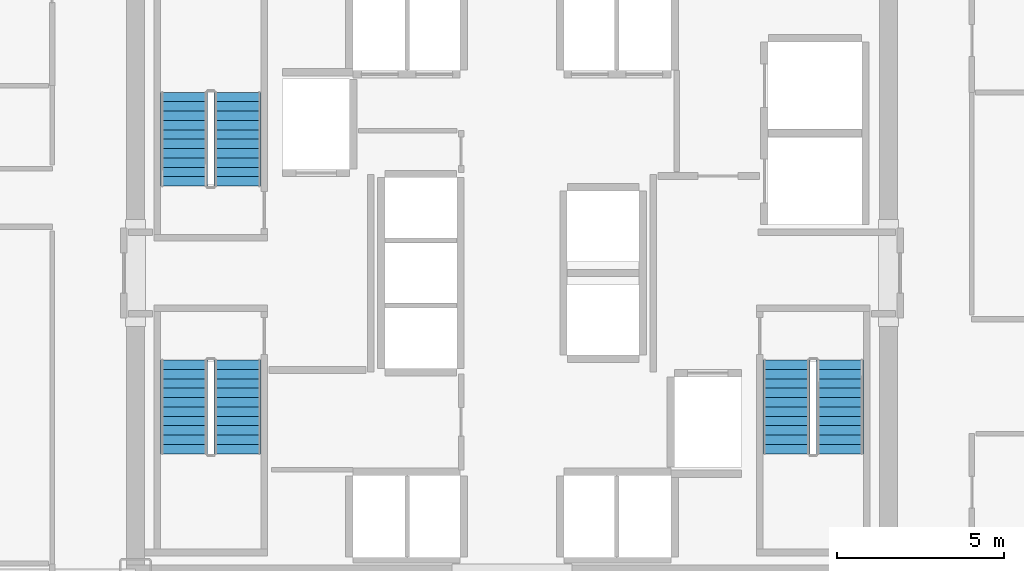
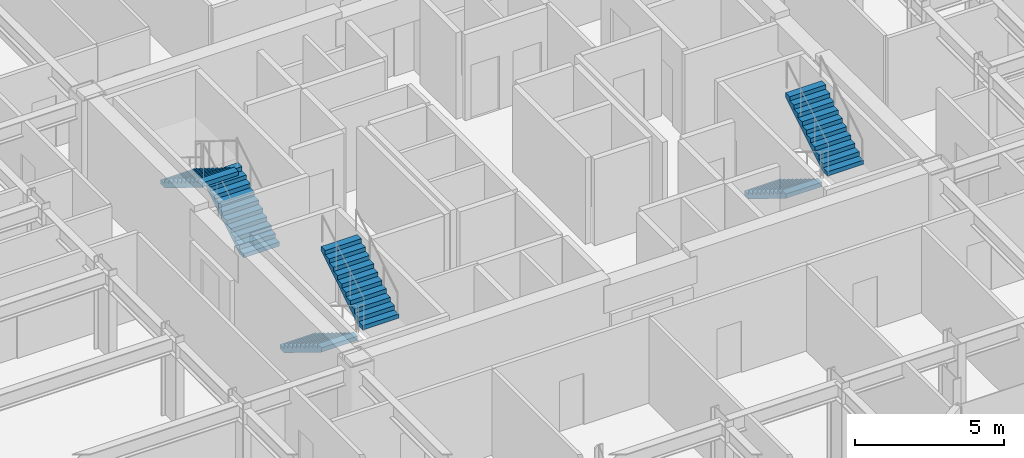
# One storey, part 25 of 26: 6 stair flights, 3 elements without a shape of their own.
"""IFC4 building model written with IfcOpenShell, lengths in metres."""

from ifc_helpers import new_model, si_unit, direction, frame, origin, place, context, subcontext, project, spatial, polyline, outline, extrude, source, transform, mapped, material, type_object, element, aggregate, save


model = new_model("IFC4")

# Units and contexts
model_context = context("Model", 3, precision=1e-05, world=origin(), true_north=direction((0.0, 1.0)))
body_context = subcontext(model_context, "Body", "Model", "MODEL_VIEW")
ifc_project = project(units=[si_unit("LENGTHUNIT", "METRE"), si_unit("AREAUNIT", "SQUARE_METRE"), si_unit("VOLUMEUNIT", "CUBIC_METRE"), si_unit("PLANEANGLEUNIT", "RADIAN"), si_unit("MASSUNIT", "GRAM", prefix="KILO")], contexts=[model_context])

# Site, building, storey
site_placement = place(None, origin())
site = spatial("IfcSite", under=ifc_project, at=site_placement, CompositionType="ELEMENT")
building_placement = place(site_placement, origin())
building = spatial("IfcBuilding", under=site, at=building_placement, Name="Nefas-Gora Pilgrimage Tower", CompositionType="ELEMENT")
storey_placement = place(building_placement, frame((0.0, 0.0, 132.60009765625)))
storey = spatial("IfcBuildingStorey", under=building, at=storey_placement, Name="L32", CompositionType="ELEMENT", Elevation=132.60009765625)

# Stair, stair flights
ifc_material = material(Name="Concrete C45/55", Category="concrete")
stair_type = type_object("IfcStairType", Name="STR-1400-R1727", PredefinedType="HALF_TURN_STAIR", material=ifc_material)
stair_1_placement = place(storey_placement, origin())
stair_1 = element("IfcStair", 1, at=stair_1_placement, inside=storey, type_object=stair_type, Name="L32 Pressurised Tower Exit Stair ST-01", PredefinedType="HALF_TURN_STAIR")
stair_flight_type = type_object("IfcStairFlightType", Name="STF-1400-R1727", PredefinedType="STRAIGHT", material=ifc_material)
shared_shape = source(origin(), body_context, "Body", "SweptSolid", [
    extrude(outline(polyline([(0.0, 0.0), (0.0, 0.172607421875), (0.280029296875, 0.172607421875), (0.280029296875, 0.345458984375), (0.56005859375, 0.345458984375), (0.56005859375, 0.51806640625), (0.840087890625, 0.51806640625), (0.840087890625, 0.69091796875), (1.1201171875, 0.69091796875), (1.1201171875, 0.863525390625), (1.39990234375, 0.863525390625), (1.39990234375, 1.036376953125), (1.679931640625, 1.036376953125), (1.679931640625, 1.208984375), (1.9599609375, 1.208984375), (1.9599609375, 1.3818359375), (2.239990234375, 1.3818359375), (2.239990234375, 1.554443359375), (2.52001953125, 1.554443359375), (2.52001953125, 1.727294921875), (2.800048828125, 1.727294921875), (2.800048828125, 1.89990234375), (2.800048828125, 1.551025390625), (0.285400390625, 0.0), (0.0, 0.0)])), frame((0.0, 0.699951171875, 0.0), z_axis=(0.0, -1.0, 0.0), x_axis=(1.0, 0.0, 0.0)), (0.0, 0.0, 1.0), 1.39990234375),
])
stair_flight_1_placement = place(storey_placement, frame((-8.199951171875, 2.60009765625, 0.0), z_axis=(0.0, 0.0, 1.0), x_axis=(0.0, 1.0, 0.0)))
stair_flight_1 = element("IfcStairFlight", 2, at=stair_flight_1_placement, type_object=stair_flight_type, Name="ST-01 flight 1", NumberOfRisers=11, NumberOfTreads=10, PredefinedType="STRAIGHT", RiserHeight=0.172727273, TreadLength=0.28, context=body_context, shape_type="MappedRepresentation", body=[
    mapped(shared_shape, transform((0.0, 0.0, 0.0), x_axis=(1.0, 0.0, 0.0), y_axis=(0.0, 1.0, 0.0), z_axis=(0.0, 0.0, 1.0), scale=1.0)),
])
stair_flight_2_placement = place(storey_placement, frame((-9.800048828125, 5.39990234375, 1.89990234375), z_axis=(0.0, 0.0, 1.0), x_axis=(0.0, -1.0, 0.0)))
stair_flight_2 = element("IfcStairFlight", 3, at=stair_flight_2_placement, type_object=stair_flight_type, Name="ST-01 flight 2", NumberOfRisers=11, NumberOfTreads=10, PredefinedType="STRAIGHT", RiserHeight=0.172727273, TreadLength=0.28, context=body_context, shape_type="MappedRepresentation", body=[
    mapped(shared_shape, transform((0.0, 0.0, 0.0), x_axis=(1.0, 0.0, 0.0), y_axis=(0.0, 1.0, 0.0), z_axis=(0.0, 0.0, 1.0), scale=1.0)),
])
aggregate(stair_1, [stair_flight_1, stair_flight_2])

stair_2_placement = place(storey_placement, origin())
stair_2 = element("IfcStair", 4, at=stair_2_placement, inside=storey, type_object=stair_type, Name="L32 Pressurised Tower Exit Stair ST-02", PredefinedType="HALF_TURN_STAIR")
stair_flight_3_placement = place(storey_placement, frame((8.199951171875, -2.60009765625, 0.0), z_axis=(0.0, 0.0, 1.0), x_axis=(0.0, -1.0, 0.0)))
stair_flight_3 = element("IfcStairFlight", 5, at=stair_flight_3_placement, type_object=stair_flight_type, Name="ST-02 flight 1", NumberOfRisers=11, NumberOfTreads=10, PredefinedType="STRAIGHT", RiserHeight=0.172727273, TreadLength=0.28, context=body_context, shape_type="MappedRepresentation", body=[
    mapped(shared_shape, transform((0.0, 0.0, 0.0), x_axis=(1.0, 0.0, 0.0), y_axis=(0.0, 1.0, 0.0), z_axis=(0.0, 0.0, 1.0), scale=1.0)),
])
stair_flight_4_placement = place(storey_placement, frame((9.800048828125, -5.39990234375, 1.89990234375), z_axis=(0.0, 0.0, 1.0), x_axis=(0.0, 1.0, 0.0)))
stair_flight_4 = element("IfcStairFlight", 6, at=stair_flight_4_placement, type_object=stair_flight_type, Name="ST-02 flight 2", NumberOfRisers=11, NumberOfTreads=10, PredefinedType="STRAIGHT", RiserHeight=0.172727273, TreadLength=0.28, context=body_context, shape_type="MappedRepresentation", body=[
    mapped(shared_shape, transform((0.0, 0.0, 0.0), x_axis=(1.0, 0.0, 0.0), y_axis=(0.0, 1.0, 0.0), z_axis=(0.0, 0.0, 1.0), scale=1.0)),
])
aggregate(stair_2, [stair_flight_3, stair_flight_4])

stair_3_placement = place(storey_placement, origin())
stair_3 = element("IfcStair", 7, at=stair_3_placement, inside=storey, type_object=stair_type, Name="L32 Pressurised Tower Exit Stair ST-03", PredefinedType="HALF_TURN_STAIR")
stair_flight_5_placement = place(storey_placement, frame((-9.800048828125, -2.60009765625, 0.0), z_axis=(0.0, 0.0, 1.0), x_axis=(0.0, -1.0, 0.0)))
stair_flight_5 = element("IfcStairFlight", 8, at=stair_flight_5_placement, type_object=stair_flight_type, Name="ST-03 flight 1", NumberOfRisers=11, NumberOfTreads=10, PredefinedType="STRAIGHT", RiserHeight=0.172727273, TreadLength=0.28, context=body_context, shape_type="MappedRepresentation", body=[
    mapped(shared_shape, transform((0.0, 0.0, 0.0), x_axis=(1.0, 0.0, 0.0), y_axis=(0.0, 1.0, 0.0), z_axis=(0.0, 0.0, 1.0), scale=1.0)),
])
stair_flight_6_placement = place(storey_placement, frame((-8.199951171875, -5.39990234375, 1.89990234375), z_axis=(0.0, 0.0, 1.0), x_axis=(0.0, 1.0, 0.0)))
stair_flight_6 = element("IfcStairFlight", 9, at=stair_flight_6_placement, type_object=stair_flight_type, Name="ST-03 flight 2", NumberOfRisers=11, NumberOfTreads=10, PredefinedType="STRAIGHT", RiserHeight=0.172727273, TreadLength=0.28, context=body_context, shape_type="MappedRepresentation", body=[
    mapped(shared_shape, transform((0.0, 0.0, 0.0), x_axis=(1.0, 0.0, 0.0), y_axis=(0.0, 1.0, 0.0), z_axis=(0.0, 0.0, 1.0), scale=1.0)),
])
aggregate(stair_3, [stair_flight_5, stair_flight_6])

save(model, "model.ifc")
